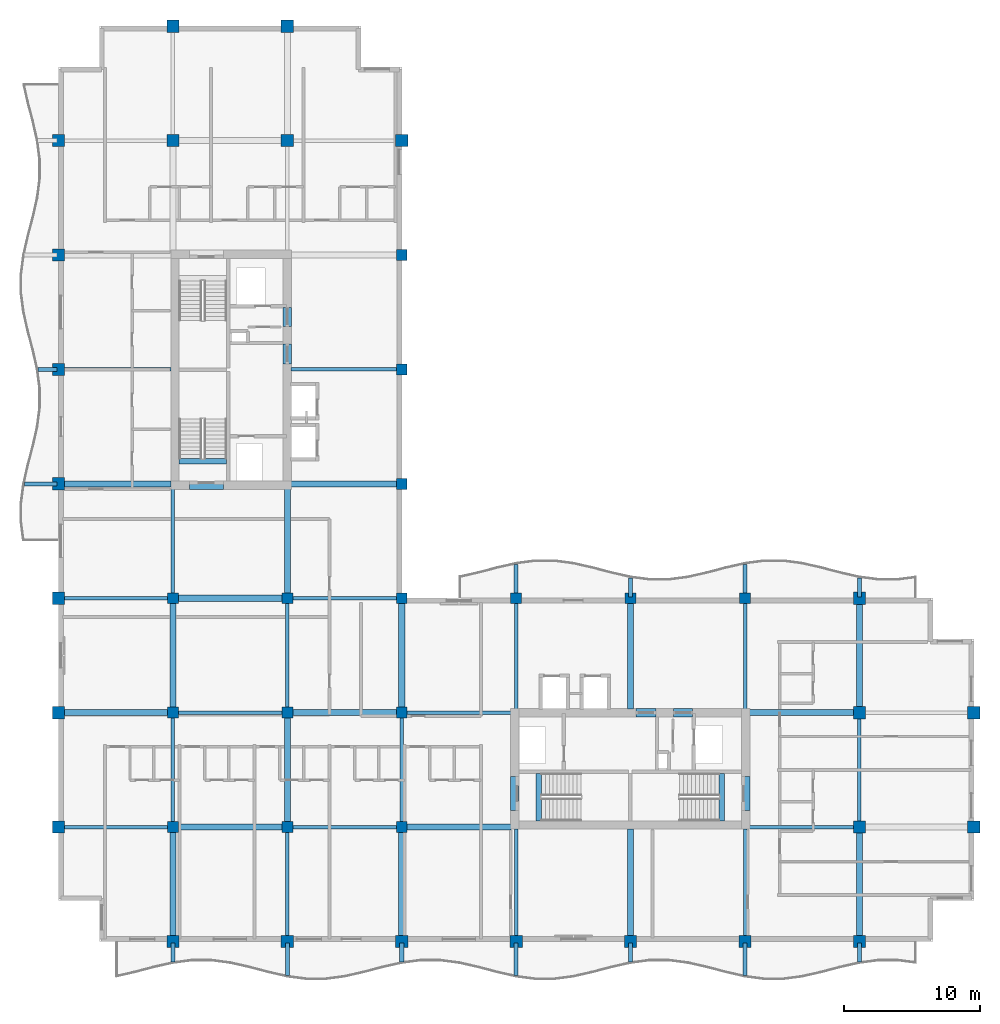
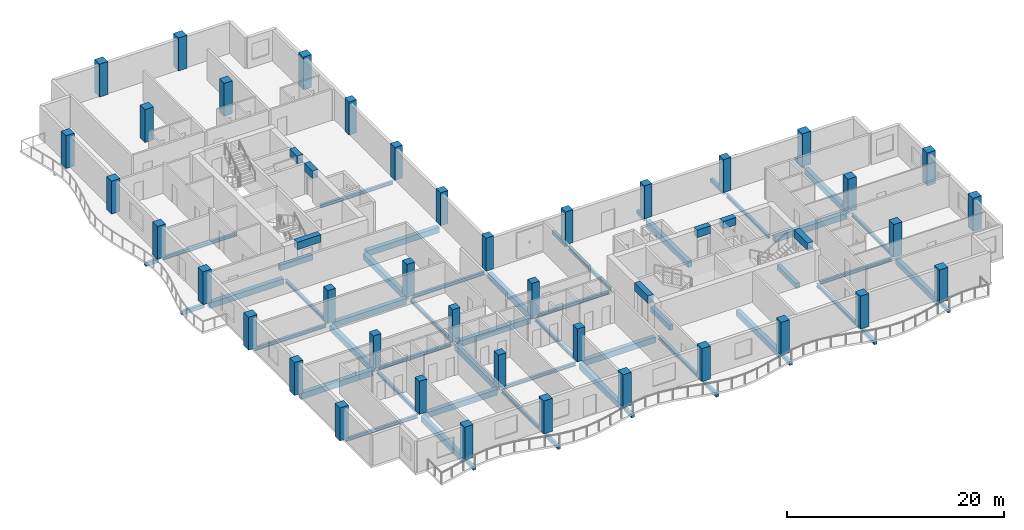
# One storey, part 1 of 12: 60 beams, 39 columns.
"""IFC4 building model written with IfcOpenShell, lengths in metres."""

from ifc_helpers import new_model, si_unit, direction, frame, origin, origin_2d, place, context, subcontext, project, spatial, rectangle, i_section, extrude, material, material_profile, profile_set, type_object, element, save


model = new_model("IFC4")

# Units and contexts
model_context = context("Model", 3, precision=1e-05, world=origin(), true_north=direction((0.0, 1.0)))
body_context = subcontext(model_context, "Body", "Model", "MODEL_VIEW")
ifc_project = project(units=[si_unit("LENGTHUNIT", "METRE"), si_unit("AREAUNIT", "SQUARE_METRE"), si_unit("VOLUMEUNIT", "CUBIC_METRE"), si_unit("PLANEANGLEUNIT", "RADIAN"), si_unit("MASSUNIT", "GRAM", prefix="KILO")], contexts=[model_context])

# Site, building, storey
site_placement = place(None, origin())
site = spatial("IfcSite", under=ifc_project, at=site_placement, CompositionType="ELEMENT")
building_placement = place(site_placement, origin())
building = spatial("IfcBuilding", under=site, at=building_placement, Name="Koriwani Terraces Tower", CompositionType="ELEMENT")
storey_placement = place(building_placement, frame((0.0, 0.0, 278.60009765625)))
storey = spatial("IfcBuildingStorey", under=building, at=storey_placement, Name="L69", CompositionType="ELEMENT", Elevation=278.60009765625)

# Columns
ifc_material_1 = material(Name="Concrete C50/60", Category="concrete")
ifc_material_profile_1 = material_profile(ifc_material_1, rectangle(XDim=0.800048828125, YDim=0.800048828125, at=origin_2d()), Name="Concrete C50/60", Category="LoadBearing")
ifc_profile_set_1 = profile_set([ifc_material_profile_1], Name="Concrete C50/60")
column_type_1 = type_object("IfcColumnType", Name="COL_RC_800X800", PredefinedType="COLUMN", material=ifc_profile_set_1)
for number, where, z_axis, x_axis, name in (
    (1, (16.800048828125, 16.800048828125, 0.0), (0.0, 0.0, 1.0), (1.0, 0.0, 0.0), "L69 Column 3/C"),
    (2, (16.800048828125, 25.199951171875, 0.0), (0.0, 0.0, 1.0), (1.0, 0.0, 0.0), "L69 Column 3/D"),
    (3, (16.800048828125, 33.60009765625, 0.0), (0.0, 0.0, 1.0), (1.0, 0.0, 0.0), "L69 Column 3/E"),
    (4, (25.199951171875, 16.800048828125, 0.0), (0.0, 0.0, 1.0), (1.0, 0.0, 0.0), "L69 Column 4/C"),
    (5, (25.199951171875, 25.199951171875, 0.0), (0.0, 0.0, 1.0), (1.0, 0.0, 0.0), "L69 Column 4/D"),
    (6, (25.199951171875, 33.60009765625, 0.0), (0.0, 0.0, 1.0), (1.0, 0.0, 0.0), "L69 Column 4/E"),
    (7, (33.60009765625, 16.800048828125, 0.0), (0.0, 0.0, 1.0), (1.0, 0.0, 0.0), "L69 Column 5/C"),
    (8, (33.60009765625, 25.199951171875, 0.0), (0.0, 0.0, 1.0), (1.0, 0.0, 0.0), "L69 Column 5/D"),
    (9, (33.60009765625, 33.60009765625, 0.0), (0.0, 0.0, 1.0), (1.0, 0.0, 0.0), "L69 Column 5/E"),
    (10, (33.60009765625, 42.0, 0.0), (0.0, 0.0, 1.0), (1.0, 0.0, 0.0), "L69 Column 5/F"),
    (11, (33.60009765625, 50.39990234375, 0.0), (0.0, 0.0, 1.0), (1.0, 0.0, 0.0), "L69 Column 5/G"),
    (12, (33.60009765625, 58.800048828125, 0.0), (0.0, 0.0, 1.0), (1.0, 0.0, 0.0), "L69 Column 5/H"),
    (13, (42.0, 33.60009765625, 0.0), (0.0, 0.0, 1.0), (1.0, 0.0, 0.0), "L69 Column 6/E"),
    (14, (50.39990234375, 33.60009765625, 0.0), (0.0, 0.0, 1.0), (1.0, 0.0, 0.0), "L69 Column 7/E"),
    (15, (58.800048828125, 33.60009765625, 0.0), (0.0, 0.0, 1.0), (1.0, 0.0, 0.0), "L69 Column 8/E"),
):
    element("IfcColumn", number, at=place(storey_placement, frame(where, z_axis=z_axis, x_axis=x_axis)), inside=storey, type_object=column_type_1, Name=name, PredefinedType="COLUMN", context=body_context, shape_type="SweptSolid", body=[
        extrude(rectangle(XDim=0.800048828125, YDim=0.800048828125, at=origin_2d()), origin(), (0.0, 0.0, 1.0), 3.699951171875),
    ])
ifc_material_profile_2 = material_profile(ifc_material_1, rectangle(XDim=0.89990234375, YDim=0.89990234375, at=origin_2d()), Name="Concrete C50/60", Category="LoadBearing")
ifc_profile_set_2 = profile_set([ifc_material_profile_2], Name="Concrete C50/60")
column_type_2 = type_object("IfcColumnType", Name="COL_RC_900X900", PredefinedType="COLUMN", material=ifc_profile_set_2)
for number, where, z_axis, x_axis, name in (
    (16, (8.39990234375, 16.800048828125, 0.0), (0.0, 0.0, 1.0), (1.0, 0.0, 0.0), "L69 Column 2/C"),
    (17, (8.39990234375, 25.199951171875, 0.0), (0.0, 0.0, 1.0), (1.0, 0.0, 0.0), "L69 Column 2/D"),
    (18, (8.39990234375, 33.60009765625, 0.0), (0.0, 0.0, 1.0), (1.0, 0.0, 0.0), "L69 Column 2/E"),
    (19, (8.39990234375, 42.0, 0.0), (0.0, 0.0, 1.0), (1.0, 0.0, 0.0), "L69 Column 2/F"),
    (20, (8.39990234375, 50.39990234375, 0.0), (0.0, 0.0, 1.0), (1.0, 0.0, 0.0), "L69 Column 2/G"),
    (21, (8.39990234375, 58.800048828125, 0.0), (0.0, 0.0, 1.0), (1.0, 0.0, 0.0), "L69 Column 2/H"),
    (22, (8.39990234375, 67.199951171875, 0.0), (0.0, 0.0, 1.0), (1.0, 0.0, 0.0), "L69 Column 2/I"),
    (23, (16.800048828125, 8.39990234375, 0.0), (0.0, 0.0, 1.0), (1.0, 0.0, 0.0), "L69 Column 3/B"),
    (24, (16.800048828125, 67.199951171875, 0.0), (0.0, 0.0, 1.0), (1.0, 0.0, 0.0), "L69 Column 3/I"),
    (25, (16.800048828125, 75.60009765625, 0.0), (0.0, 0.0, 1.0), (1.0, 0.0, 0.0), "L69 Column 3/J"),
    (26, (25.199951171875, 8.39990234375, 0.0), (0.0, 0.0, 1.0), (1.0, 0.0, 0.0), "L69 Column 4/B"),
    (27, (25.199951171875, 67.199951171875, 0.0), (0.0, 0.0, 1.0), (1.0, 0.0, 0.0), "L69 Column 4/I"),
    (28, (25.199951171875, 75.60009765625, 0.0), (0.0, 0.0, 1.0), (1.0, 0.0, 0.0), "L69 Column 4/J"),
    (29, (33.60009765625, 8.39990234375, 0.0), (0.0, 0.0, 1.0), (1.0, 0.0, 0.0), "L69 Column 5/B"),
    (30, (33.60009765625, 67.199951171875, 0.0), (0.0, 0.0, 1.0), (1.0, 0.0, 0.0), "L69 Column 5/I"),
    (31, (42.0, 8.39990234375, 0.0), (0.0, 0.0, 1.0), (1.0, 0.0, 0.0), "L69 Column 6/B"),
    (32, (50.39990234375, 8.39990234375, 0.0), (0.0, 0.0, 1.0), (1.0, 0.0, 0.0), "L69 Column 7/B"),
    (33, (58.800048828125, 8.39990234375, 0.0), (0.0, 0.0, 1.0), (1.0, 0.0, 0.0), "L69 Column 8/B"),
    (34, (67.199951171875, 8.39990234375, 0.0), (0.0, 0.0, 1.0), (1.0, 0.0, 0.0), "L69 Column 9/B"),
    (35, (67.199951171875, 16.800048828125, 0.0), (0.0, 0.0, 1.0), (1.0, 0.0, 0.0), "L69 Column 9/C"),
    (36, (67.199951171875, 25.199951171875, 0.0), (0.0, 0.0, 1.0), (1.0, 0.0, 0.0), "L69 Column 9/D"),
    (37, (67.199951171875, 33.60009765625, 0.0), (0.0, 0.0, 1.0), (1.0, 0.0, 0.0), "L69 Column 9/E"),
    (38, (75.60009765625, 16.800048828125, 0.0), (0.0, 0.0, 1.0), (1.0, 0.0, 0.0), "L69 Column 10/C"),
    (39, (75.60009765625, 25.199951171875, 0.0), (0.0, 0.0, 1.0), (1.0, 0.0, 0.0), "L69 Column 10/D"),
):
    element("IfcColumn", number, at=place(storey_placement, frame(where, z_axis=z_axis, x_axis=x_axis)), inside=storey, type_object=column_type_2, Name=name, PredefinedType="COLUMN", context=body_context, shape_type="SweptSolid", body=[
        extrude(rectangle(XDim=0.89990234375, YDim=0.89990234375, at=origin_2d()), origin(), (0.0, 0.0, 1.0), 3.699951171875),
    ])

# Beams
ifc_material_2 = material(Name="Concrete C40/50", Category="concrete")
ifc_material_profile_3 = material_profile(ifc_material_2, rectangle(XDim=0.300048828125, YDim=0.39990234375, at=origin_2d()), Name="Concrete C40/50", Category="LoadBearing")
ifc_profile_set_3 = profile_set([ifc_material_profile_3], Name="Concrete C40/50")
beam_type_1 = type_object("IfcBeamType", Name="BEAM_RC_BALCONY_RIB_300X400", PredefinedType="JOIST", material=ifc_profile_set_3)
beam_1_placement = place(storey_placement, frame((16.800048828125, 6.912109375, -0.43017578125), z_axis=(0.0, 1.0, 0.0), x_axis=(-1.0, 0.0, 0.0)))
element("IfcBeam", 40, at=beam_1_placement, inside=storey, type_object=beam_type_1, Name="L69 Balcony Bracket Rib S-1", PredefinedType="JOIST", context=body_context, shape_type="SweptSolid", body=[
    extrude(rectangle(XDim=0.300048828125, YDim=0.39990234375, at=origin_2d()), origin(), (0.0, 0.0, 1.0), 1.387939453125),
])
beam_2_placement = place(storey_placement, frame((25.199951171875, 5.907958984375, -0.43017578125), z_axis=(0.0, 1.0, 0.0), x_axis=(-1.0, 0.0, 0.0)))
element("IfcBeam", 41, at=beam_2_placement, inside=storey, type_object=beam_type_1, Name="L69 Balcony Bracket Rib S-2", PredefinedType="JOIST", context=body_context, shape_type="SweptSolid", body=[
    extrude(rectangle(XDim=0.300048828125, YDim=0.39990234375, at=origin_2d()), origin(), (0.0, 0.0, 1.0), 2.39208984375),
])
beam_3_placement = place(storey_placement, frame((33.60009765625, 6.912109375, -0.43017578125), z_axis=(0.0, 1.0, 0.0), x_axis=(-1.0, 0.0, 0.0)))
element("IfcBeam", 42, at=beam_3_placement, inside=storey, type_object=beam_type_1, Name="L69 Balcony Bracket Rib S-3", PredefinedType="JOIST", context=body_context, shape_type="SweptSolid", body=[
    extrude(rectangle(XDim=0.300048828125, YDim=0.39990234375, at=origin_2d()), origin(), (0.0, 0.0, 1.0), 1.387939453125),
])
beam_4_placement = place(storey_placement, frame((42.0, 5.907958984375, -0.43017578125), z_axis=(0.0, 1.0, 0.0), x_axis=(-1.0, 0.0, 0.0)))
element("IfcBeam", 43, at=beam_4_placement, inside=storey, type_object=beam_type_1, Name="L69 Balcony Bracket Rib S-4", PredefinedType="JOIST", context=body_context, shape_type="SweptSolid", body=[
    extrude(rectangle(XDim=0.300048828125, YDim=0.39990234375, at=origin_2d()), origin(), (0.0, 0.0, 1.0), 2.39208984375),
])
beam_5_placement = place(storey_placement, frame((50.39990234375, 6.912109375, -0.43017578125), z_axis=(0.0, 1.0, 0.0), x_axis=(-1.0, 0.0, 0.0)))
element("IfcBeam", 44, at=beam_5_placement, inside=storey, type_object=beam_type_1, Name="L69 Balcony Bracket Rib S-5", PredefinedType="JOIST", context=body_context, shape_type="SweptSolid", body=[
    extrude(rectangle(XDim=0.300048828125, YDim=0.39990234375, at=origin_2d()), origin(), (0.0, 0.0, 1.0), 1.387939453125),
])
beam_6_placement = place(storey_placement, frame((58.800048828125, 5.907958984375, -0.43017578125), z_axis=(0.0, 1.0, 0.0), x_axis=(-1.0, 0.0, 0.0)))
element("IfcBeam", 45, at=beam_6_placement, inside=storey, type_object=beam_type_1, Name="L69 Balcony Bracket Rib S-6", PredefinedType="JOIST", context=body_context, shape_type="SweptSolid", body=[
    extrude(rectangle(XDim=0.300048828125, YDim=0.39990234375, at=origin_2d()), origin(), (0.0, 0.0, 1.0), 2.39208984375),
])
beam_7_placement = place(storey_placement, frame((67.199951171875, 6.912109375, -0.43017578125), z_axis=(0.0, 1.0, 0.0), x_axis=(-1.0, 0.0, 0.0)))
element("IfcBeam", 46, at=beam_7_placement, inside=storey, type_object=beam_type_1, Name="L69 Balcony Bracket Rib S-7", PredefinedType="JOIST", context=body_context, shape_type="SweptSolid", body=[
    extrude(rectangle(XDim=0.300048828125, YDim=0.39990234375, at=origin_2d()), origin(), (0.0, 0.0, 1.0), 1.387939453125),
])
beam_8_placement = place(storey_placement, frame((5.907958984375, 42.0, -0.43017578125), z_axis=(1.0, 0.0, 0.0), x_axis=(0.0, 1.0, 0.0)))
element("IfcBeam", 47, at=beam_8_placement, inside=storey, type_object=beam_type_1, Name="L69 Balcony Bracket Rib W-1", PredefinedType="JOIST", context=body_context, shape_type="SweptSolid", body=[
    extrude(rectangle(XDim=0.300048828125, YDim=0.39990234375, at=origin_2d()), origin(), (0.0, 0.0, 1.0), 2.39208984375),
])
beam_9_placement = place(storey_placement, frame((6.912109375, 50.39990234375, -0.43017578125), z_axis=(1.0, 0.0, 0.0), x_axis=(0.0, 1.0, 0.0)))
element("IfcBeam", 48, at=beam_9_placement, inside=storey, type_object=beam_type_1, Name="L69 Balcony Bracket Rib W-2", PredefinedType="JOIST", context=body_context, shape_type="SweptSolid", body=[
    extrude(rectangle(XDim=0.300048828125, YDim=0.39990234375, at=origin_2d()), origin(), (0.0, 0.0, 1.0), 1.387939453125),
])
beam_10_placement = place(storey_placement, frame((42.0, 33.699951171875, -0.43017578125), z_axis=(0.0, 1.0, 0.0), x_axis=(-1.0, 0.0, 0.0)))
element("IfcBeam", 49, at=beam_10_placement, inside=storey, type_object=beam_type_1, Name="L69 Balcony Bracket Rib NE-1", PredefinedType="JOIST", context=body_context, shape_type="SweptSolid", body=[
    extrude(rectangle(XDim=0.300048828125, YDim=0.39990234375, at=origin_2d()), origin(), (0.0, 0.0, 1.0), 2.39208984375),
])
beam_11_placement = place(storey_placement, frame((50.39990234375, 33.699951171875, -0.43017578125), z_axis=(0.0, 1.0, 0.0), x_axis=(-1.0, 0.0, 0.0)))
element("IfcBeam", 50, at=beam_11_placement, inside=storey, type_object=beam_type_1, Name="L69 Balcony Bracket Rib NE-2", PredefinedType="JOIST", context=body_context, shape_type="SweptSolid", body=[
    extrude(rectangle(XDim=0.300048828125, YDim=0.39990234375, at=origin_2d()), origin(), (0.0, 0.0, 1.0), 1.387939453125),
])
beam_12_placement = place(storey_placement, frame((58.800048828125, 33.699951171875, -0.43017578125), z_axis=(0.0, 1.0, 0.0), x_axis=(-1.0, 0.0, 0.0)))
element("IfcBeam", 51, at=beam_12_placement, inside=storey, type_object=beam_type_1, Name="L69 Balcony Bracket Rib NE-3", PredefinedType="JOIST", context=body_context, shape_type="SweptSolid", body=[
    extrude(rectangle(XDim=0.300048828125, YDim=0.39990234375, at=origin_2d()), origin(), (0.0, 0.0, 1.0), 2.39208984375),
])
beam_13_placement = place(storey_placement, frame((67.199951171875, 33.699951171875, -0.43017578125), z_axis=(0.0, 1.0, 0.0), x_axis=(-1.0, 0.0, 0.0)))
element("IfcBeam", 52, at=beam_13_placement, inside=storey, type_object=beam_type_1, Name="L69 Balcony Bracket Rib NE-4", PredefinedType="JOIST", context=body_context, shape_type="SweptSolid", body=[
    extrude(rectangle(XDim=0.300048828125, YDim=0.39990234375, at=origin_2d()), origin(), (0.0, 0.0, 1.0), 1.387939453125),
])
ifc_material_profile_4 = material_profile(ifc_material_1, rectangle(XDim=0.60009765625, YDim=0.85009765625, at=origin_2d()), Name="Concrete C50/60", Category="LoadBearing")
ifc_profile_set_4 = profile_set([ifc_material_profile_4], Name="Concrete C50/60")
beam_type_2 = type_object("IfcBeamType", Name="BEAM_RC_COUPLING_600X850", PredefinedType="LINTEL", material=ifc_profile_set_4)
beam_14_placement = place(storey_placement, frame((25.199951171875, 50.800048828125, 3.044921875), z_axis=(0.0, 1.0, 0.0), x_axis=(-1.0, 0.0, 0.0)))
element("IfcBeam", 53, at=beam_14_placement, inside=storey, type_object=beam_type_2, Name="L69 Core Coupling Lintel Beam WE1", PredefinedType="LINTEL", context=body_context, shape_type="SweptSolid", body=[
    extrude(rectangle(XDim=0.60009765625, YDim=0.85009765625, at=origin_2d()), origin(), (0.0, 0.0, 1.0), 1.47998046875),
])
beam_15_placement = place(storey_placement, frame((25.199951171875, 53.550048828125, 3.044921875), z_axis=(0.0, 1.0, 0.0), x_axis=(-1.0, 0.0, 0.0)))
element("IfcBeam", 54, at=beam_15_placement, inside=storey, type_object=beam_type_2, Name="L69 Core Coupling Lintel Beam WE2", PredefinedType="LINTEL", context=body_context, shape_type="SweptSolid", body=[
    extrude(rectangle(XDim=0.60009765625, YDim=0.85009765625, at=origin_2d()), origin(), (0.0, 0.0, 1.0), 1.39990234375),
])
beam_16_placement = place(storey_placement, frame((18.0, 41.89990234375, 3.044921875), z_axis=(1.0, 0.0, 0.0), x_axis=(0.0, 1.0, 0.0)))
element("IfcBeam", 55, at=beam_16_placement, inside=storey, type_object=beam_type_2, Name="L69 Core Coupling Lintel Beam WS", PredefinedType="LINTEL", context=body_context, shape_type="SweptSolid", body=[
    extrude(rectangle(XDim=0.60009765625, YDim=0.85009765625, at=origin_2d()), origin(), (0.0, 0.0, 1.0), 2.5),
])
beam_17_placement = place(storey_placement, frame((50.800048828125, 25.199951171875, 3.044921875), z_axis=(1.0, 0.0, 0.0), x_axis=(0.0, 1.0, 0.0)))
element("IfcBeam", 56, at=beam_17_placement, inside=storey, type_object=beam_type_2, Name="L69 Core Coupling Lintel Beam EN1", PredefinedType="LINTEL", context=body_context, shape_type="SweptSolid", body=[
    extrude(rectangle(XDim=0.60009765625, YDim=0.85009765625, at=origin_2d()), origin(), (0.0, 0.0, 1.0), 1.47998046875),
])
beam_18_placement = place(storey_placement, frame((53.550048828125, 25.199951171875, 3.044921875), z_axis=(1.0, 0.0, 0.0), x_axis=(0.0, 1.0, 0.0)))
element("IfcBeam", 57, at=beam_18_placement, inside=storey, type_object=beam_type_2, Name="L69 Core Coupling Lintel Beam EN2", PredefinedType="LINTEL", context=body_context, shape_type="SweptSolid", body=[
    extrude(rectangle(XDim=0.60009765625, YDim=0.85009765625, at=origin_2d()), origin(), (0.0, 0.0, 1.0), 1.39990234375),
])
for number, where, z_axis, x_axis, name in (
    (58, (41.89990234375, 18.0, 3.044921875), (0.0, 1.0, 0.0), (-1.0, 0.0, 0.0), "L69 Core Coupling Lintel Beam EW"),
    (59, (58.85009765625, 18.0, 3.044921875), (0.0, 1.0, 0.0), (-1.0, 0.0, 0.0), "L69 Core Coupling Lintel Beam EE"),
):
    element("IfcBeam", number, at=place(storey_placement, frame(where, z_axis=z_axis, x_axis=x_axis)), inside=storey, type_object=beam_type_2, Name=name, PredefinedType="LINTEL", context=body_context, shape_type="SweptSolid", body=[
        extrude(rectangle(XDim=0.60009765625, YDim=0.85009765625, at=origin_2d()), origin(), (0.0, 0.0, 1.0), 2.5),
    ])
ifc_material_profile_5 = material_profile(ifc_material_2, rectangle(XDim=0.39990234375, YDim=0.60009765625, at=origin_2d()), Name="Concrete C40/50", Category="LoadBearing")
ifc_profile_set_5 = profile_set([ifc_material_profile_5], Name="Concrete C40/50")
beam_type_3 = type_object("IfcBeamType", Name="BEAM_RC_GRID_400X600", PredefinedType="BEAM", material=ifc_profile_set_5)
for number, where, z_axis, x_axis, name in (
    (60, (17.25, 43.655029296875, -0.300048828125), (1.0, 0.0, 0.0), (0.0, 1.0, 0.0), "L69 Stairwell Header Trimmer Beam ST-W1"),
    (61, (43.655029296875, 17.25, -0.300048828125), (0.0, 1.0, 0.0), (-1.0, 0.0, 0.0), "L69 Stairwell Header Trimmer Beam ST-E1"),
    (62, (57.094970703125, 17.25, -0.300048828125), (0.0, 1.0, 0.0), (-1.0, 0.0, 0.0), "L69 Stairwell Header Trimmer Beam ST-E2"),
):
    element("IfcBeam", number, at=place(storey_placement, frame(where, z_axis=z_axis, x_axis=x_axis)), inside=storey, type_object=beam_type_3, Name=name, PredefinedType="BEAM", context=body_context, shape_type="SweptSolid", body=[
        extrude(rectangle(XDim=0.39990234375, YDim=0.60009765625, at=origin_2d()), origin(), (0.0, 0.0, 1.0), 3.5),
    ])
ifc_material_profile_6 = material_profile(ifc_material_1, rectangle(XDim=0.449951171875, YDim=0.64990234375, at=origin_2d()), Name="Concrete C50/60", Category="LoadBearing")
ifc_profile_set_6 = profile_set([ifc_material_profile_6], Name="Concrete C50/60")
beam_type_4 = type_object("IfcBeamType", Name="BEAM_RC_GRID_450X650", PredefinedType="BEAM", material=ifc_profile_set_6)
for number, where, z_axis, x_axis, name in (
    (63, (17.179931640625, 16.800048828125, -0.55517578125), (1.0, 0.0, 0.0), (0.0, 1.0, 0.0), "L69 Grid Beam C (16.8-25.2m)"),
    (64, (33.97998046875, 16.800048828125, -0.55517578125), (1.0, 0.0, 0.0), (0.0, 1.0, 0.0), "L69 Grid Beam C (33.6-42.0m)"),
):
    element("IfcBeam", number, at=place(storey_placement, frame(where, z_axis=z_axis, x_axis=x_axis)), inside=storey, type_object=beam_type_4, Name=name, PredefinedType="BEAM", context=body_context, shape_type="SweptSolid", body=[
        extrude(rectangle(XDim=0.449951171875, YDim=0.64990234375, at=origin_2d()), origin(), (0.0, 0.0, 1.0), 7.64013671875),
    ])
beam_19_placement = place(storey_placement, frame((8.830078125, 25.199951171875, -0.55517578125), z_axis=(1.0, 0.0, 0.0), x_axis=(0.0, 1.0, 0.0)))
element("IfcBeam", 65, at=beam_19_placement, inside=storey, type_object=beam_type_4, Name="L69 Grid Beam D (8.4-16.8m)", PredefinedType="BEAM", context=body_context, shape_type="SweptSolid", body=[
    extrude(rectangle(XDim=0.449951171875, YDim=0.64990234375, at=origin_2d()), origin(), (0.0, 0.0, 1.0), 7.58984375),
])
beam_20_placement = place(storey_placement, frame((25.580078125, 25.199951171875, -0.55517578125), z_axis=(1.0, 0.0, 0.0), x_axis=(0.0, 1.0, 0.0)))
element("IfcBeam", 66, at=beam_20_placement, inside=storey, type_object=beam_type_4, Name="L69 Grid Beam D (25.2-33.6m)", PredefinedType="BEAM", context=body_context, shape_type="SweptSolid", body=[
    extrude(rectangle(XDim=0.449951171875, YDim=0.64990234375, at=origin_2d()), origin(), (0.0, 0.0, 1.0), 7.639892578125),
])
for number, where, z_axis, x_axis, name in (
    (67, (59.1298828125, 25.199951171875, -0.55517578125), (1.0, 0.0, 0.0), (0.0, 1.0, 0.0), "L69 Grid Beam D (58.8-67.2m)"),
    (68, (17.179931640625, 33.60009765625, -0.55517578125), (1.0, 0.0, 0.0), (0.0, 1.0, 0.0), "L69 Grid Beam E (16.8-25.2m)"),
):
    element("IfcBeam", number, at=place(storey_placement, frame(where, z_axis=z_axis, x_axis=x_axis)), inside=storey, type_object=beam_type_4, Name=name, PredefinedType="BEAM", context=body_context, shape_type="SweptSolid", body=[
        extrude(rectangle(XDim=0.449951171875, YDim=0.64990234375, at=origin_2d()), origin(), (0.0, 0.0, 1.0), 7.64013671875),
    ])
beam_21_placement = place(storey_placement, frame((8.830078125, 42.0, -0.55517578125), z_axis=(1.0, 0.0, 0.0), x_axis=(0.0, 1.0, 0.0)))
element("IfcBeam", 69, at=beam_21_placement, inside=storey, type_object=beam_type_4, Name="L69 Grid Beam F (8.4-16.8m)", PredefinedType="BEAM", context=body_context, shape_type="SweptSolid", body=[
    extrude(rectangle(XDim=0.449951171875, YDim=0.64990234375, at=origin_2d()), origin(), (0.0, 0.0, 1.0), 7.83984375),
])
beam_22_placement = place(storey_placement, frame((25.47998046875, 42.0, -0.55517578125), z_axis=(1.0, 0.0, 0.0), x_axis=(0.0, 1.0, 0.0)))
element("IfcBeam", 70, at=beam_22_placement, inside=storey, type_object=beam_type_4, Name="L69 Grid Beam F (25.2-33.6m)", PredefinedType="BEAM", context=body_context, shape_type="SweptSolid", body=[
    extrude(rectangle(XDim=0.449951171875, YDim=0.64990234375, at=origin_2d()), origin(), (0.0, 0.0, 1.0), 7.739990234375),
])
beam_23_placement = place(storey_placement, frame((16.800048828125, 8.830078125, -0.55517578125), z_axis=(0.0, 1.0, 0.0), x_axis=(-1.0, 0.0, 0.0)))
element("IfcBeam", 71, at=beam_23_placement, inside=storey, type_object=beam_type_4, Name="L69 Grid Beam 3 (8.4-16.8m)", PredefinedType="BEAM", context=body_context, shape_type="SweptSolid", body=[
    extrude(rectangle(XDim=0.449951171875, YDim=0.64990234375, at=origin_2d()), origin(), (0.0, 0.0, 1.0), 7.58984375),
])
beam_24_placement = place(storey_placement, frame((16.800048828125, 25.580078125, -0.55517578125), z_axis=(0.0, 1.0, 0.0), x_axis=(-1.0, 0.0, 0.0)))
element("IfcBeam", 72, at=beam_24_placement, inside=storey, type_object=beam_type_4, Name="L69 Grid Beam 3 (25.2-33.6m)", PredefinedType="BEAM", context=body_context, shape_type="SweptSolid", body=[
    extrude(rectangle(XDim=0.449951171875, YDim=0.64990234375, at=origin_2d()), origin(), (0.0, 0.0, 1.0), 7.639892578125),
])
for number, where, z_axis, x_axis, name in (
    (73, (25.199951171875, 17.179931640625, -0.55517578125), (0.0, 1.0, 0.0), (-1.0, 0.0, 0.0), "L69 Grid Beam 4 (16.8-25.2m)"),
    (74, (25.199951171875, 33.97998046875, -0.55517578125), (0.0, 1.0, 0.0), (-1.0, 0.0, 0.0), "L69 Grid Beam 4 (33.6-42.0m)"),
):
    element("IfcBeam", number, at=place(storey_placement, frame(where, z_axis=z_axis, x_axis=x_axis)), inside=storey, type_object=beam_type_4, Name=name, PredefinedType="BEAM", context=body_context, shape_type="SweptSolid", body=[
        extrude(rectangle(XDim=0.449951171875, YDim=0.64990234375, at=origin_2d()), origin(), (0.0, 0.0, 1.0), 7.64013671875),
    ])
beam_25_placement = place(storey_placement, frame((33.60009765625, 8.830078125, -0.55517578125), z_axis=(0.0, 1.0, 0.0), x_axis=(-1.0, 0.0, 0.0)))
element("IfcBeam", 75, at=beam_25_placement, inside=storey, type_object=beam_type_4, Name="L69 Grid Beam 5 (8.4-16.8m)", PredefinedType="BEAM", context=body_context, shape_type="SweptSolid", body=[
    extrude(rectangle(XDim=0.449951171875, YDim=0.64990234375, at=origin_2d()), origin(), (0.0, 0.0, 1.0), 7.58984375),
])
beam_26_placement = place(storey_placement, frame((33.60009765625, 25.580078125, -0.55517578125), z_axis=(0.0, 1.0, 0.0), x_axis=(-1.0, 0.0, 0.0)))
element("IfcBeam", 76, at=beam_26_placement, inside=storey, type_object=beam_type_4, Name="L69 Grid Beam 5 (25.2-33.6m)", PredefinedType="BEAM", context=body_context, shape_type="SweptSolid", body=[
    extrude(rectangle(XDim=0.449951171875, YDim=0.64990234375, at=origin_2d()), origin(), (0.0, 0.0, 1.0), 7.639892578125),
])
beam_27_placement = place(storey_placement, frame((50.39990234375, 8.830078125, -0.55517578125), z_axis=(0.0, 1.0, 0.0), x_axis=(-1.0, 0.0, 0.0)))
element("IfcBeam", 77, at=beam_27_placement, inside=storey, type_object=beam_type_4, Name="L69 Grid Beam 7 (8.4-16.8m)", PredefinedType="BEAM", context=body_context, shape_type="SweptSolid", body=[
    extrude(rectangle(XDim=0.449951171875, YDim=0.64990234375, at=origin_2d()), origin(), (0.0, 0.0, 1.0), 7.83984375),
])
beam_28_placement = place(storey_placement, frame((50.39990234375, 25.47998046875, -0.55517578125), z_axis=(0.0, 1.0, 0.0), x_axis=(-1.0, 0.0, 0.0)))
element("IfcBeam", 78, at=beam_28_placement, inside=storey, type_object=beam_type_4, Name="L69 Grid Beam 7 (25.2-33.6m)", PredefinedType="BEAM", context=body_context, shape_type="SweptSolid", body=[
    extrude(rectangle(XDim=0.449951171875, YDim=0.64990234375, at=origin_2d()), origin(), (0.0, 0.0, 1.0), 7.739990234375),
])
for number, where, z_axis, x_axis, name in (
    (79, (67.199951171875, 8.830078125, -0.55517578125), (0.0, 1.0, 0.0), (-1.0, 0.0, 0.0), "L69 Grid Beam 9 (8.4-16.8m)"),
    (80, (67.199951171875, 25.6298828125, -0.55517578125), (0.0, 1.0, 0.0), (-1.0, 0.0, 0.0), "L69 Grid Beam 9 (25.2-33.6m)"),
):
    element("IfcBeam", number, at=place(storey_placement, frame(where, z_axis=z_axis, x_axis=x_axis)), inside=storey, type_object=beam_type_4, Name=name, PredefinedType="BEAM", context=body_context, shape_type="SweptSolid", body=[
        extrude(rectangle(XDim=0.449951171875, YDim=0.64990234375, at=origin_2d()), origin(), (0.0, 0.0, 1.0), 7.5400390625),
    ])
ifc_material_3 = material(Name="Steel ASTM A572 Grade 50", Category="steel")
ifc_material_profile_7 = material_profile(ifc_material_3, i_section(OverallWidth=0.257080078125, OverallDepth=0.363037109375, WebThickness=0.012939453125, FlangeThickness=0.021728515625, at=origin_2d()), Name="Steel ASTM A572 Grade 50", Category="LoadBearing")
ifc_profile_set_7 = profile_set([ifc_material_profile_7], Name="Steel ASTM A572 Grade 50")
beam_type_5 = type_object("IfcBeamType", Name="STEEL_BEAM_W360X122", PredefinedType="JOIST", material=ifc_profile_set_7)
beam_29_placement = place(storey_placement, frame((8.830078125, 16.800048828125, -0.41162109375), z_axis=(1.0, 0.0, 0.0), x_axis=(0.0, 1.0, 0.0)))
element("IfcBeam", 81, at=beam_29_placement, inside=storey, type_object=beam_type_5, Name="L69 Grid Beam C (8.4-16.8m)", PredefinedType="JOIST", context=body_context, shape_type="SweptSolid", body=[
    extrude(i_section(OverallWidth=0.257080078125, OverallDepth=0.363037109375, WebThickness=0.012939453125, FlangeThickness=0.021728515625, at=origin_2d()), origin(), (0.0, 0.0, 1.0), 7.58984375),
])
beam_30_placement = place(storey_placement, frame((25.580078125, 16.800048828125, -0.41162109375), z_axis=(1.0, 0.0, 0.0), x_axis=(0.0, 1.0, 0.0)))
element("IfcBeam", 82, at=beam_30_placement, inside=storey, type_object=beam_type_5, Name="L69 Grid Beam C (25.2-33.6m)", PredefinedType="JOIST", context=body_context, shape_type="SweptSolid", body=[
    extrude(i_section(OverallWidth=0.257080078125, OverallDepth=0.363037109375, WebThickness=0.012939453125, FlangeThickness=0.021728515625, at=origin_2d()), origin(), (0.0, 0.0, 1.0), 7.639892578125),
])
for number, where, z_axis, x_axis, name in (
    (83, (59.1298828125, 16.800048828125, -0.41162109375), (1.0, 0.0, 0.0), (0.0, 1.0, 0.0), "L69 Grid Beam C (58.8-67.2m)"),
    (84, (17.179931640625, 25.199951171875, -0.41162109375), (1.0, 0.0, 0.0), (0.0, 1.0, 0.0), "L69 Grid Beam D (16.8-25.2m)"),
    (85, (33.97998046875, 25.199951171875, -0.41162109375), (1.0, 0.0, 0.0), (0.0, 1.0, 0.0), "L69 Grid Beam D (33.6-42.0m)"),
):
    element("IfcBeam", number, at=place(storey_placement, frame(where, z_axis=z_axis, x_axis=x_axis)), inside=storey, type_object=beam_type_5, Name=name, PredefinedType="JOIST", context=body_context, shape_type="SweptSolid", body=[
        extrude(i_section(OverallWidth=0.257080078125, OverallDepth=0.363037109375, WebThickness=0.012939453125, FlangeThickness=0.021728515625, at=origin_2d()), origin(), (0.0, 0.0, 1.0), 7.64013671875),
    ])
beam_31_placement = place(storey_placement, frame((8.830078125, 33.60009765625, -0.41162109375), z_axis=(1.0, 0.0, 0.0), x_axis=(0.0, 1.0, 0.0)))
element("IfcBeam", 86, at=beam_31_placement, inside=storey, type_object=beam_type_5, Name="L69 Grid Beam E (8.4-16.8m)", PredefinedType="JOIST", context=body_context, shape_type="SweptSolid", body=[
    extrude(i_section(OverallWidth=0.257080078125, OverallDepth=0.363037109375, WebThickness=0.012939453125, FlangeThickness=0.021728515625, at=origin_2d()), origin(), (0.0, 0.0, 1.0), 7.58984375),
])
beam_32_placement = place(storey_placement, frame((25.580078125, 33.60009765625, -0.41162109375), z_axis=(1.0, 0.0, 0.0), x_axis=(0.0, 1.0, 0.0)))
element("IfcBeam", 87, at=beam_32_placement, inside=storey, type_object=beam_type_5, Name="L69 Grid Beam E (25.2-33.6m)", PredefinedType="JOIST", context=body_context, shape_type="SweptSolid", body=[
    extrude(i_section(OverallWidth=0.257080078125, OverallDepth=0.363037109375, WebThickness=0.012939453125, FlangeThickness=0.021728515625, at=origin_2d()), origin(), (0.0, 0.0, 1.0), 7.639892578125),
])
beam_33_placement = place(storey_placement, frame((8.830078125, 50.39990234375, -0.41162109375), z_axis=(1.0, 0.0, 0.0), x_axis=(0.0, 1.0, 0.0)))
element("IfcBeam", 88, at=beam_33_placement, inside=storey, type_object=beam_type_5, Name="L69 Grid Beam G (8.4-16.8m)", PredefinedType="JOIST", context=body_context, shape_type="SweptSolid", body=[
    extrude(i_section(OverallWidth=0.257080078125, OverallDepth=0.363037109375, WebThickness=0.012939453125, FlangeThickness=0.021728515625, at=origin_2d()), origin(), (0.0, 0.0, 1.0), 7.83984375),
])
beam_34_placement = place(storey_placement, frame((25.47998046875, 50.39990234375, -0.41162109375), z_axis=(1.0, 0.0, 0.0), x_axis=(0.0, 1.0, 0.0)))
element("IfcBeam", 89, at=beam_34_placement, inside=storey, type_object=beam_type_5, Name="L69 Grid Beam G (25.2-33.6m)", PredefinedType="JOIST", context=body_context, shape_type="SweptSolid", body=[
    extrude(i_section(OverallWidth=0.257080078125, OverallDepth=0.363037109375, WebThickness=0.012939453125, FlangeThickness=0.021728515625, at=origin_2d()), origin(), (0.0, 0.0, 1.0), 7.739990234375),
])
for number, where, z_axis, x_axis, name in (
    (90, (16.800048828125, 17.179931640625, -0.41162109375), (0.0, 1.0, 0.0), (-1.0, 0.0, 0.0), "L69 Grid Beam 3 (16.8-25.2m)"),
    (91, (16.800048828125, 33.97998046875, -0.41162109375), (0.0, 1.0, 0.0), (-1.0, 0.0, 0.0), "L69 Grid Beam 3 (33.6-42.0m)"),
):
    element("IfcBeam", number, at=place(storey_placement, frame(where, z_axis=z_axis, x_axis=x_axis)), inside=storey, type_object=beam_type_5, Name=name, PredefinedType="JOIST", context=body_context, shape_type="SweptSolid", body=[
        extrude(i_section(OverallWidth=0.257080078125, OverallDepth=0.363037109375, WebThickness=0.012939453125, FlangeThickness=0.021728515625, at=origin_2d()), origin(), (0.0, 0.0, 1.0), 7.64013671875),
    ])
beam_35_placement = place(storey_placement, frame((25.199951171875, 8.830078125, -0.41162109375), z_axis=(0.0, 1.0, 0.0), x_axis=(-1.0, 0.0, 0.0)))
element("IfcBeam", 92, at=beam_35_placement, inside=storey, type_object=beam_type_5, Name="L69 Grid Beam 4 (8.4-16.8m)", PredefinedType="JOIST", context=body_context, shape_type="SweptSolid", body=[
    extrude(i_section(OverallWidth=0.257080078125, OverallDepth=0.363037109375, WebThickness=0.012939453125, FlangeThickness=0.021728515625, at=origin_2d()), origin(), (0.0, 0.0, 1.0), 7.58984375),
])
beam_36_placement = place(storey_placement, frame((25.199951171875, 25.580078125, -0.41162109375), z_axis=(0.0, 1.0, 0.0), x_axis=(-1.0, 0.0, 0.0)))
element("IfcBeam", 93, at=beam_36_placement, inside=storey, type_object=beam_type_5, Name="L69 Grid Beam 4 (25.2-33.6m)", PredefinedType="JOIST", context=body_context, shape_type="SweptSolid", body=[
    extrude(i_section(OverallWidth=0.257080078125, OverallDepth=0.363037109375, WebThickness=0.012939453125, FlangeThickness=0.021728515625, at=origin_2d()), origin(), (0.0, 0.0, 1.0), 7.639892578125),
])
beam_37_placement = place(storey_placement, frame((33.60009765625, 17.179931640625, -0.41162109375), z_axis=(0.0, 1.0, 0.0), x_axis=(-1.0, 0.0, 0.0)))
element("IfcBeam", 94, at=beam_37_placement, inside=storey, type_object=beam_type_5, Name="L69 Grid Beam 5 (16.8-25.2m)", PredefinedType="JOIST", context=body_context, shape_type="SweptSolid", body=[
    extrude(i_section(OverallWidth=0.257080078125, OverallDepth=0.363037109375, WebThickness=0.012939453125, FlangeThickness=0.021728515625, at=origin_2d()), origin(), (0.0, 0.0, 1.0), 7.64013671875),
])
beam_38_placement = place(storey_placement, frame((42.0, 8.830078125, -0.41162109375), z_axis=(0.0, 1.0, 0.0), x_axis=(-1.0, 0.0, 0.0)))
element("IfcBeam", 95, at=beam_38_placement, inside=storey, type_object=beam_type_5, Name="L69 Grid Beam 6 (8.4-16.8m)", PredefinedType="JOIST", context=body_context, shape_type="SweptSolid", body=[
    extrude(i_section(OverallWidth=0.257080078125, OverallDepth=0.363037109375, WebThickness=0.012939453125, FlangeThickness=0.021728515625, at=origin_2d()), origin(), (0.0, 0.0, 1.0), 7.83984375),
])
beam_39_placement = place(storey_placement, frame((42.0, 25.47998046875, -0.41162109375), z_axis=(0.0, 1.0, 0.0), x_axis=(-1.0, 0.0, 0.0)))
element("IfcBeam", 96, at=beam_39_placement, inside=storey, type_object=beam_type_5, Name="L69 Grid Beam 6 (25.2-33.6m)", PredefinedType="JOIST", context=body_context, shape_type="SweptSolid", body=[
    extrude(i_section(OverallWidth=0.257080078125, OverallDepth=0.363037109375, WebThickness=0.012939453125, FlangeThickness=0.021728515625, at=origin_2d()), origin(), (0.0, 0.0, 1.0), 7.739990234375),
])
beam_40_placement = place(storey_placement, frame((58.800048828125, 8.830078125, -0.41162109375), z_axis=(0.0, 1.0, 0.0), x_axis=(-1.0, 0.0, 0.0)))
element("IfcBeam", 97, at=beam_40_placement, inside=storey, type_object=beam_type_5, Name="L69 Grid Beam 8 (8.4-16.8m)", PredefinedType="JOIST", context=body_context, shape_type="SweptSolid", body=[
    extrude(i_section(OverallWidth=0.257080078125, OverallDepth=0.363037109375, WebThickness=0.012939453125, FlangeThickness=0.021728515625, at=origin_2d()), origin(), (0.0, 0.0, 1.0), 7.83984375),
])
beam_41_placement = place(storey_placement, frame((58.800048828125, 25.47998046875, -0.41162109375), z_axis=(0.0, 1.0, 0.0), x_axis=(-1.0, 0.0, 0.0)))
element("IfcBeam", 98, at=beam_41_placement, inside=storey, type_object=beam_type_5, Name="L69 Grid Beam 8 (25.2-33.6m)", PredefinedType="JOIST", context=body_context, shape_type="SweptSolid", body=[
    extrude(i_section(OverallWidth=0.257080078125, OverallDepth=0.363037109375, WebThickness=0.012939453125, FlangeThickness=0.021728515625, at=origin_2d()), origin(), (0.0, 0.0, 1.0), 7.739990234375),
])
beam_42_placement = place(storey_placement, frame((67.199951171875, 17.22998046875, -0.41162109375), z_axis=(0.0, 1.0, 0.0), x_axis=(-1.0, 0.0, 0.0)))
element("IfcBeam", 99, at=beam_42_placement, inside=storey, type_object=beam_type_5, Name="L69 Grid Beam 9 (16.8-25.2m)", PredefinedType="JOIST", context=body_context, shape_type="SweptSolid", body=[
    extrude(i_section(OverallWidth=0.257080078125, OverallDepth=0.363037109375, WebThickness=0.012939453125, FlangeThickness=0.021728515625, at=origin_2d()), origin(), (0.0, 0.0, 1.0), 7.5400390625),
])

save(model, "model.ifc")
